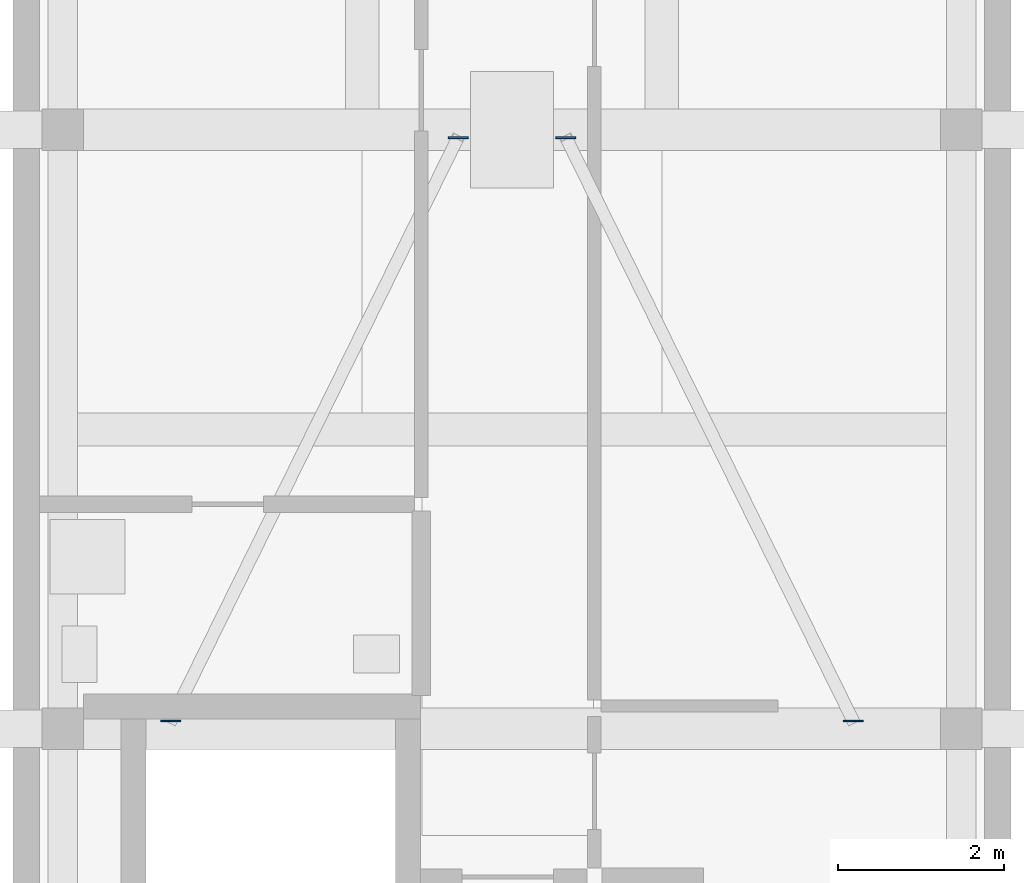
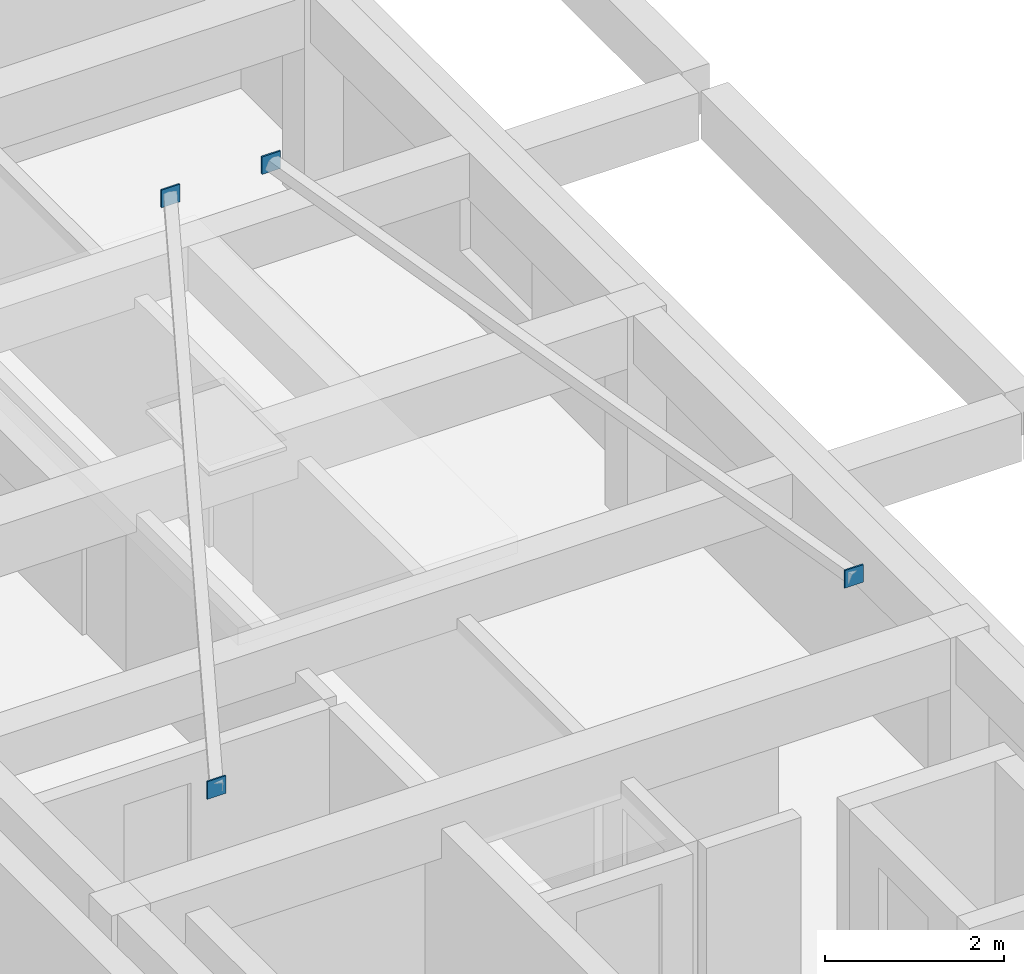
# One storey, part 6 of 9: 4 discrete accessories.
"""IFC4 building model written with IfcOpenShell, lengths in metres."""

from ifc_helpers import new_model, si_unit, derived_unit, direction, frame, origin, origin_2d, place, context, subcontext, project, spatial, rectangle, extrude, material, type_object, element, save


model = new_model("IFC4")

# Units and contexts
model_context = context("Model", 3, precision=1e-05, world=origin(), true_north=direction((0.0, 1.0)))
body_context = subcontext(model_context, "Body", "Model", "MODEL_VIEW")
ifc_project = project(units=[si_unit("LENGTHUNIT", "METRE"), si_unit("AREAUNIT", "SQUARE_METRE"), si_unit("VOLUMEUNIT", "CUBIC_METRE"), si_unit("PLANEANGLEUNIT", "RADIAN"), si_unit("MASSUNIT", "GRAM", prefix="KILO"), derived_unit("THERMALTRANSMITTANCEUNIT", [(si_unit("MASSUNIT", "GRAM", prefix="KILO"), 1), (si_unit("TIMEUNIT", "SECOND"), -3), (si_unit("THERMODYNAMICTEMPERATUREUNIT", "KELVIN"), -1)])], contexts=[model_context])

# Site, building, storey
site_placement = place(None, origin())
site = spatial("IfcSite", under=ifc_project, at=site_placement, CompositionType="ELEMENT")
building_placement = place(site_placement, origin())
building = spatial("IfcBuilding", under=site, at=building_placement, Name="Ochrekiln Boulevard Commons", CompositionType="ELEMENT")
storey_placement = place(building_placement, frame((0.0, 0.0, 46.72509765625)))
storey = spatial("IfcBuildingStorey", under=building, at=storey_placement, Name="L14", CompositionType="ELEMENT", Elevation=46.72509765625)

# Discrete accessories
ifc_material = material(Name="Steel A992 Grade 50", Category="steel")
discrete_accessory_type = type_object("IfcDiscreteAccessoryType", Name="ACC-GUS-PLATE", PredefinedType="BRACKET", material=ifc_material)
for number, where, z_axis, x_axis, name in (
    (1, (6.696044921875, 75.695068359375, 3.736328125), (0.0, 0.0, 1.0), (1.0, 0.0, 0.0), "Block A Brace 2W End Gusset Plate A"),
    (2, (10.152099609375, 82.705078125, 6.328125), (0.0, 0.0, 1.0), (1.0, 0.0, 0.0), "Block A Brace 2W End Gusset Plate B"),
    (3, (14.904052734375, 75.695068359375, 3.736328125), (0.0, 0.0, 1.0), (1.0, 0.0, 0.0), "Block A Brace 2E End Gusset Plate A"),
    (4, (11.447998046875, 82.705078125, 6.328125), (0.0, 0.0, 1.0), (1.0, 0.0, 0.0), "Block A Brace 2E End Gusset Plate B"),
):
    element("IfcDiscreteAccessory", number, at=place(storey_placement, frame(where, z_axis=z_axis, x_axis=x_axis)), inside=storey, type_object=discrete_accessory_type, Name=name, PredefinedType="BRACKET", context=body_context, shape_type="SweptSolid", body=[
        extrude(rectangle(XDim=0.239990234375, YDim=0.02001953125, at=origin_2d()), origin(), (0.0, 0.0, 1.0), 0.239990234375),
    ])

save(model, "model.ifc")
